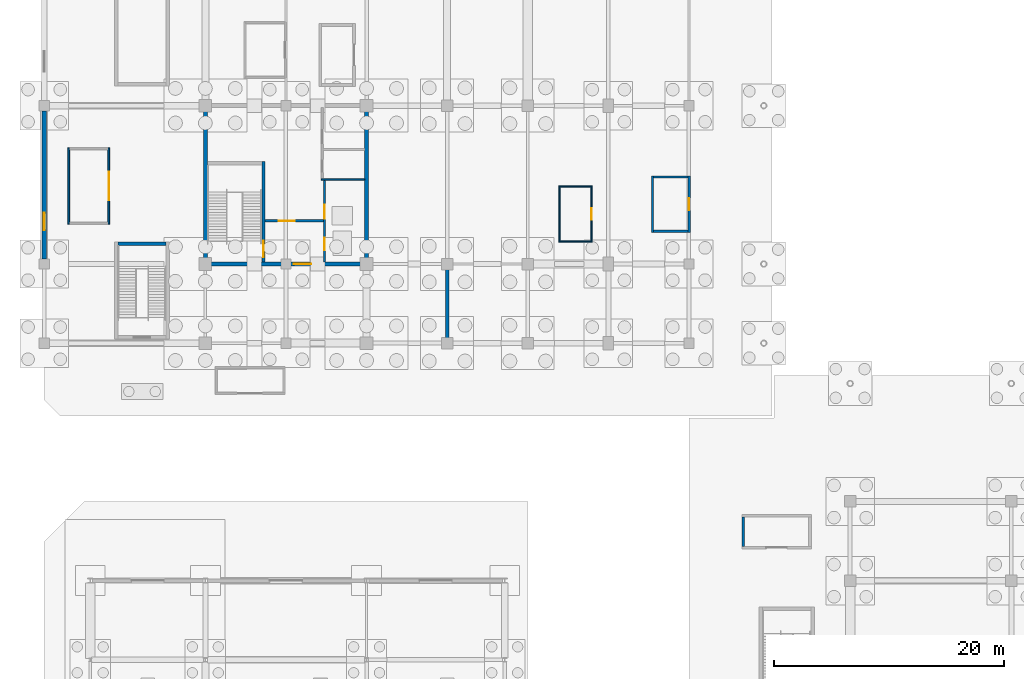
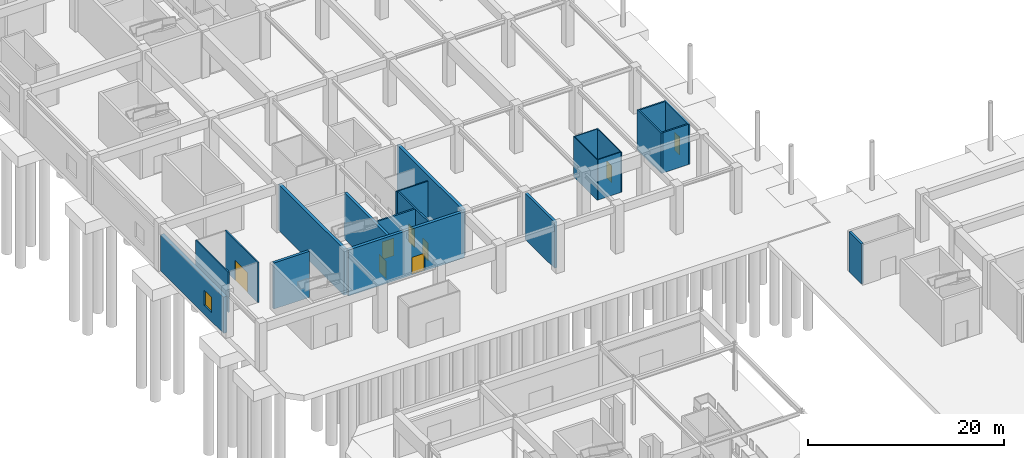
# One storey, part 38 of 62: 21 walls, 8 doors, 1 window, 9 openings.
"""IFC4 building model written with IfcOpenShell, lengths in metres."""

from ifc_helpers import new_model, si_unit, direction, frame, frame_2d, origin, place, context, subcontext, project, spatial, rectangle, extrude, material, layer, layer_set, type_object, element, fill, save


model = new_model("IFC4")

# Units and contexts
model_context = context("Model", 3, precision=1e-05, world=origin(), true_north=direction((0.0, 1.0)))
body_context = subcontext(model_context, "Body", "Model", "MODEL_VIEW")
ifc_project = project(units=[si_unit("LENGTHUNIT", "METRE"), si_unit("AREAUNIT", "SQUARE_METRE"), si_unit("VOLUMEUNIT", "CUBIC_METRE"), si_unit("PLANEANGLEUNIT", "RADIAN"), si_unit("MASSUNIT", "GRAM", prefix="KILO")], contexts=[model_context])

# Site, building, storey
site_placement = place(None, origin())
site = spatial("IfcSite", under=ifc_project, at=site_placement, CompositionType="ELEMENT")
building_placement = place(site_placement, origin())
building = spatial("IfcBuilding", under=site, at=building_placement, Name="Linyun Crest Stadium", CompositionType="ELEMENT")
storey_placement = place(building_placement, frame((0.0, 0.0, -6.0)))
storey = spatial("IfcBuildingStorey", under=building, at=storey_placement, Name="B1", CompositionType="ELEMENT", Elevation=-6.0)

# Walls
ifc_material_1 = material(Name="Concrete C50", Category="concrete")
ifc_layer_1 = layer(ifc_material_1, 0.35009765625)
ifc_layer_set_1 = layer_set([ifc_layer_1], Name="Concrete C50")
wall_type_1 = type_object("IfcWallType", Name="CW01", PredefinedType="SHEAR", material=ifc_layer_set_1)
for number, where, z_axis, x_axis, name in (
    (1, (-84.0, -38.949951171875, 0.0), (0.0, 0.0, 1.0), (0.0, 1.0, 0.0), "Core shear wall CW01 CORE-W1 B1.1"),
    (2, (-70.0, -38.949951171875, 0.0), (0.0, 0.0, 1.0), (0.0, 1.0, 0.0), "Core shear wall CW01 CORE-W1 B1.2"),
):
    element("IfcWall", number, at=place(storey_placement, frame(where, z_axis=z_axis, x_axis=x_axis)), inside=storey, type_object=wall_type_1, Name=name, PredefinedType="SHEAR", context=body_context, shape_type="SweptSolid", body=[
        extrude(rectangle(XDim=13.39990234375, YDim=0.35009765625, at=frame_2d((6.699951171875, 0.0))), origin(), (0.0, 0.0, 1.0), 5.75),
    ])

# Wall, opening, door
wall_1_placement = place(storey_placement, frame((-83.824951171875, -39.125, 0.0), z_axis=(0.0, 0.0, 1.0), x_axis=(1.0, 0.0, 0.0)))
wall_1 = element("IfcWall", 3, at=wall_1_placement, inside=storey, type_object=wall_type_1, Name="Core shear wall CW01 CORE-W1 B1.3", PredefinedType="SHEAR", context=body_context, shape_type="SweptSolid", body=[
    extrude(rectangle(XDim=13.64990234375, YDim=0.35009765625, at=frame_2d((6.824951171875, 0.0))), origin(), (0.0, 0.0, 1.0), 5.75),
])
opening_1_placement = place(wall_1_placement, frame((7.508056640625, 0.0, 0.0)))
opening_1 = element("IfcOpeningElement", 4, at=opening_1_placement, cuts=wall_1, Name="Opening D-B1-001", PredefinedType="OPENING", context=body_context, shape_type="SweptSolid", body=[
    extrude(rectangle(XDim=1.5, YDim=2.199951171875, at=frame_2d((0.75, 1.10009765625))), frame((0.0, 0.18505859375, 0.0), z_axis=(0.0, -1.0, 0.0), x_axis=(1.0, 0.0, 0.0)), (0.0, 0.0, 1.0), 0.3701171875),
])
ifc_material_2 = material(Name="Galvanized steel Class A fire door", Category="steel")
ifc_layer_2 = layer(ifc_material_2, 0.054931640625)
ifc_layer_set_2 = layer_set([ifc_layer_2], Name="Galvanized steel Class A fire door")
door_type_1 = type_object("IfcDoorType", Name="FD01", OperationType="NOTDEFINED", PredefinedType="DOOR", material=ifc_layer_set_2)
door_1_placement = place(opening_1_placement, origin())
door_1 = element("IfcDoor", 5, at=door_1_placement, inside=storey, type_object=door_type_1, Name="Door D-B1-001", OperationType="SINGLE_SWING_LEFT", OverallHeight=2.199951171875, OverallWidth=1.5, PredefinedType="DOOR", context=body_context, shape_type="SweptSolid", body=[
    extrude(rectangle(XDim=1.5, YDim=2.199951171875, at=frame_2d((0.75, 1.10009765625))), frame((0.0, 0.02490234375, 0.0), z_axis=(0.0, -1.0, 0.0), x_axis=(1.0, 0.0, 0.0)), (0.0, 0.0, 1.0), 0.050048828125),
])
fill(opening_1, door_1)

# Wall, opening, window
ifc_material_3 = material(Name="Concrete C40 basement retaining envelope wall", Category="concrete")
ifc_layer_3 = layer(ifc_material_3, 0.419921875)
ifc_layer_set_3 = layer_set([ifc_layer_3], Name="Concrete C40 basement retaining envelope wall")
wall_type_2 = type_object("IfcWallType", Name="EW08", PredefinedType="SOLIDWALL", material=ifc_layer_set_3)
wall_2_placement = place(storey_placement, frame((-98.0, -38.68505859375, 0.0), z_axis=(0.0, 0.0, 1.0), x_axis=(0.0, 1.0, 0.0)))
wall_2 = element("IfcWall", 6, at=wall_2_placement, inside=storey, type_object=wall_type_2, Name="Exterior wall EW08 B1 1", PredefinedType="SOLIDWALL", context=body_context, shape_type="SweptSolid", body=[
    extrude(rectangle(XDim=12.8701171875, YDim=0.419921875, at=frame_2d((6.43505859375, 0.0))), origin(), (0.0, 0.0, 1.0), 4.52490234375),
])
opening_2_placement = place(wall_2_placement, frame((2.5, 0.0, 1.10009765625)))
opening_2 = element("IfcOpeningElement", 7, at=opening_2_placement, cuts=wall_2, Name="Opening WN01", PredefinedType="OPENING", context=body_context, shape_type="SweptSolid", body=[
    extrude(rectangle(XDim=1.5, YDim=1.89990234375, at=frame_2d((0.75, 0.949951171875))), frame((0.0, 0.219970703125, 0.0), z_axis=(0.0, -1.0, 0.0), x_axis=(1.0, 0.0, 0.0)), (0.0, 0.0, 1.0), 0.43994140625),
])
ifc_material_4 = material(Name="Aluminium frame with double low-E glazing", Category="aluminium")
ifc_layer_4 = layer(ifc_material_4, 0.06005859375)
ifc_layer_set_4 = layer_set([ifc_layer_4], Name="Aluminium frame with double low-E glazing")
window_type = type_object("IfcWindowType", Name="WN01", PartitioningType="SINGLE_PANEL", PredefinedType="WINDOW", material=ifc_layer_set_4)
window_placement = place(opening_2_placement, origin())
window = element("IfcWindow", 8, at=window_placement, inside=storey, type_object=window_type, Name="Window WN01 B1 1", OverallHeight=1.89990234375, OverallWidth=1.5, PartitioningType="SINGLE_PANEL", PredefinedType="WINDOW", context=body_context, shape_type="SweptSolid", body=[
    extrude(rectangle(XDim=1.5, YDim=1.89990234375, at=frame_2d((0.75, 0.949951171875))), frame((0.0, 0.030029296875, 0.0), z_axis=(0.0, -1.0, 0.0), x_axis=(1.0, 0.0, 0.0)), (0.0, 0.0, 1.0), 0.06005859375),
])
fill(opening_2, window)

# Wall, opening, door
ifc_material_5 = material(Name="Autoclaved aerated concrete block with fireboard", Category="concrete")
ifc_layer_5 = layer(ifc_material_5, 0.199951171875)
ifc_layer_set_5 = layer_set([ifc_layer_5], Name="Autoclaved aerated concrete block with fireboard")
wall_type_3 = type_object("IfcWallType", Name="PW11", PredefinedType="PARTITIONING", material=ifc_layer_set_5)
wall_3_placement = place(storey_placement, frame((-78.800048828125, -35.375, 0.0), z_axis=(0.0, 0.0, 1.0), x_axis=(1.0, 0.0, 0.0)))
wall_3 = element("IfcWall", 9, at=wall_3_placement, inside=storey, type_object=wall_type_3, Name="Partition PW11 B1 1", PredefinedType="PARTITIONING", context=body_context, shape_type="SweptSolid", body=[
    extrude(rectangle(XDim=5.06005859375, YDim=0.199951171875, at=frame_2d((2.530029296875, 0.0))), origin(), (0.0, 0.0, 1.0), 5.02001953125),
])
opening_3_placement = place(wall_3_placement, frame((1.169921875, 0.0, 0.0)))
opening_3 = element("IfcOpeningElement", 10, at=opening_3_placement, cuts=wall_3, Name="Opening D-B1-003", PredefinedType="OPENING", context=body_context, shape_type="SweptSolid", body=[
    extrude(rectangle(XDim=1.39990234375, YDim=2.199951171875, at=frame_2d((0.699951171875, 1.10009765625))), frame((0.0, 0.10986328125, 0.0), z_axis=(0.0, -1.0, 0.0), x_axis=(1.0, 0.0, 0.0)), (0.0, 0.0, 1.0), 0.219970703125),
])
ifc_material_6 = material(Name="Galvanized steel Class B fire door", Category="steel")
ifc_layer_6 = layer(ifc_material_6, 0.054931640625)
ifc_layer_set_6 = layer_set([ifc_layer_6], Name="Galvanized steel Class B fire door")
door_type_2 = type_object("IfcDoorType", Name="FD03", OperationType="NOTDEFINED", PredefinedType="DOOR", material=ifc_layer_set_6)
door_2_placement = place(opening_3_placement, origin())
door_2 = element("IfcDoor", 11, at=door_2_placement, inside=storey, type_object=door_type_2, Name="Door D-B1-003", OperationType="SINGLE_SWING_LEFT", OverallHeight=2.199951171875, OverallWidth=1.39990234375, PredefinedType="DOOR", context=body_context, shape_type="SweptSolid", body=[
    extrude(rectangle(XDim=1.39990234375, YDim=2.199951171875, at=frame_2d((0.699951171875, 1.10009765625))), frame((0.0, 0.02490234375, 0.0), z_axis=(0.0, -1.0, 0.0), x_axis=(1.0, 0.0, 0.0)), (0.0, 0.0, 1.0), 0.050048828125),
])
fill(opening_3, door_2)

# Wall, openings, doors
ifc_material_7 = material(Name="Autoclaved aerated concrete block fire partition", Category="concrete")
ifc_layer_7 = layer(ifc_material_7, 0.179931640625)
ifc_layer_set_7 = layer_set([ifc_layer_7], Name="Autoclaved aerated concrete block fire partition")
wall_type_4 = type_object("IfcWallType", Name="PW12", PredefinedType="PARTITIONING", material=ifc_layer_set_7)
wall_4_placement = place(storey_placement, frame((-73.64990234375, -38.949951171875, 0.0), z_axis=(0.0, 0.0, 1.0), x_axis=(0.0, 1.0, 0.0)))
wall_4 = element("IfcWall", 12, at=wall_4_placement, inside=storey, type_object=wall_type_4, Name="Partition PW12 B1 2", PredefinedType="PARTITIONING", context=body_context, shape_type="SweptSolid", body=[
    extrude(rectangle(XDim=7.10498046875, YDim=0.179931640625, at=frame_2d((3.552490234375, 0.0))), origin(), (0.0, 0.0, 1.0), 5.02001953125),
])
opening_4_placement = place(wall_4_placement, frame((1.02490234375, 0.0, 0.0)))
opening_4 = element("IfcOpeningElement", 13, at=opening_4_placement, cuts=wall_4, Name="Opening LD001", PredefinedType="OPENING", context=body_context, shape_type="SweptSolid", body=[
    extrude(rectangle(XDim=1.10009765625, YDim=2.199951171875, at=frame_2d((0.550048828125, 1.10009765625))), frame((0.0, 0.099853515625, 0.0), z_axis=(0.0, -1.0, 0.0), x_axis=(1.0, 0.0, 0.0)), (0.0, 0.0, 1.0), 0.199951171875),
])
opening_5_placement = place(wall_4_placement, frame((3.77490234375, 0.0, 0.0)))
opening_5 = element("IfcOpeningElement", 14, at=opening_5_placement, cuts=wall_4, Name="Opening LD002", PredefinedType="OPENING", context=body_context, shape_type="SweptSolid", body=[
    extrude(rectangle(XDim=1.199951171875, YDim=2.25, at=frame_2d((0.60009765625, 1.125))), frame((0.0, 0.099853515625, 0.0), z_axis=(0.0, -1.0, 0.0), x_axis=(1.0, 0.0, 0.0)), (0.0, 0.0, 1.0), 0.199951171875),
])
ifc_material_8 = material(Name="Brushed stainless sliding lift door")
ifc_layer_8 = layer(ifc_material_8, 0.050048828125)
ifc_layer_set_8 = layer_set([ifc_layer_8], Name="Brushed stainless sliding lift door")
door_type_3 = type_object("IfcDoorType", Name="LD01", OperationType="NOTDEFINED", PredefinedType="DOOR", material=ifc_layer_set_8)
door_3_placement = place(opening_4_placement, origin())
door_3 = element("IfcDoor", 15, at=door_3_placement, inside=storey, type_object=door_type_3, Name="Lift landing door LD001", OperationType="DOUBLE_DOOR_SLIDING", OverallHeight=2.199951171875, OverallWidth=1.10009765625, PredefinedType="DOOR", context=body_context, shape_type="SweptSolid", body=[
    extrude(rectangle(XDim=1.10009765625, YDim=2.199951171875, at=frame_2d((0.550048828125, 1.10009765625))), frame((0.0, 0.02490234375, 0.0), z_axis=(0.0, -1.0, 0.0), x_axis=(1.0, 0.0, 0.0)), (0.0, 0.0, 1.0), 0.050048828125),
])
fill(opening_4, door_3)
ifc_material_9 = material(Name="Brushed stainless sliding lift door")
ifc_layer_9 = layer(ifc_material_9, 0.050048828125)
ifc_layer_set_9 = layer_set([ifc_layer_9], Name="Brushed stainless sliding lift door")
door_type_4 = type_object("IfcDoorType", Name="LD02", OperationType="NOTDEFINED", PredefinedType="DOOR", material=ifc_layer_set_9)
door_4_placement = place(opening_5_placement, origin())
door_4 = element("IfcDoor", 16, at=door_4_placement, inside=storey, type_object=door_type_4, Name="Lift landing door LD002", OperationType="DOUBLE_DOOR_SLIDING", OverallHeight=2.25, OverallWidth=1.199951171875, PredefinedType="DOOR", context=body_context, shape_type="SweptSolid", body=[
    extrude(rectangle(XDim=1.199951171875, YDim=2.25, at=frame_2d((0.60009765625, 1.125))), frame((0.0, 0.02490234375, 0.0), z_axis=(0.0, -1.0, 0.0), x_axis=(1.0, 0.0, 0.0)), (0.0, 0.0, 1.0), 0.050048828125),
])
fill(opening_5, door_4)

# Wall, opening, door
ifc_material_10 = material(Name="Steel-stud gypsum corridor fire partition", Category="steel")
ifc_layer_10 = layer(ifc_material_10, 0.14990234375)
ifc_layer_set_10 = layer_set([ifc_layer_10], Name="Steel-stud gypsum corridor fire partition")
wall_type_5 = type_object("IfcWallType", Name="PW14", PredefinedType="PARTITIONING", material=ifc_layer_set_10)
wall_5_placement = place(storey_placement, frame((-92.386962890625, -29.0390625, 0.0), z_axis=(0.0, 0.0, 1.0), x_axis=(0.0, -1.0, 0.0)))
wall_5 = element("IfcWall", 17, at=wall_5_placement, inside=storey, type_object=wall_type_5, Name="Partition PW14 B1 138", PredefinedType="PARTITIONING", context=body_context, shape_type="SweptSolid", body=[
    extrude(rectangle(XDim=6.6298828125, YDim=0.14990234375, at=frame_2d((3.31494140625, 0.0))), origin(), (0.0, 0.0, 1.0), 5.02001953125),
])
opening_6_placement = place(wall_5_placement, frame((2.06494140625, 0.0, 0.0)))
opening_6 = element("IfcOpeningElement", 18, at=opening_6_placement, cuts=wall_5, Name="Opening D-B1-401", PredefinedType="OPENING", context=body_context, shape_type="SweptSolid", body=[
    extrude(rectangle(XDim=2.5, YDim=2.5, at=frame_2d((1.25, 1.25))), frame((0.0, 0.0849609375, 0.0), z_axis=(0.0, -1.0, 0.0), x_axis=(1.0, 0.0, 0.0)), (0.0, 0.0, 1.0), 0.169921875),
])
ifc_material_11 = material(Name="Verdigris framed glazed concourse door")
ifc_layer_11 = layer(ifc_material_11, 0.054931640625)
ifc_layer_set_11 = layer_set([ifc_layer_11], Name="Verdigris framed glazed concourse door")
door_type_5 = type_object("IfcDoorType", Name="ID16", OperationType="NOTDEFINED", PredefinedType="DOOR", material=ifc_layer_set_11)
door_5_placement = place(opening_6_placement, origin())
door_5 = element("IfcDoor", 19, at=door_5_placement, inside=storey, type_object=door_type_5, Name="Door D-B1-401", OperationType="DOUBLE_DOOR_SINGLE_SWING", OverallHeight=2.5, OverallWidth=2.5, PredefinedType="DOOR", context=body_context, shape_type="SweptSolid", body=[
    extrude(rectangle(XDim=2.5, YDim=2.5, at=frame_2d((1.25, 1.25))), frame((0.0, 0.02490234375, 0.0), z_axis=(0.0, -1.0, 0.0), x_axis=(1.0, 0.0, 0.0)), (0.0, 0.0, 1.0), 0.050048828125),
])
fill(opening_6, door_5)

# Walls
wall_6_placement = place(storey_placement, frame((-95.866943359375, -35.6689453125, 0.0), z_axis=(0.0, 0.0, 1.0), x_axis=(0.0, 1.0, 0.0)))
element("IfcWall", 20, at=wall_6_placement, inside=storey, type_object=wall_type_5, Name="Enclosure partition PW14 B1 130", PredefinedType="PARTITIONING", context=body_context, shape_type="SweptSolid", body=[
    extrude(rectangle(XDim=6.6298828125, YDim=0.14990234375, at=frame_2d((3.31494140625, 0.0))), origin(), (0.0, 0.0, 1.0), 5.02001953125),
])
ifc_material_12 = material(Name="Moisture-resistant ceramic-tiled wet-room wall")
ifc_layer_12 = layer(ifc_material_12, 0.139892578125)
ifc_layer_set_12 = layer_set([ifc_layer_12], Name="Moisture-resistant ceramic-tiled wet-room wall")
wall_type_6 = type_object("IfcWallType", Name="PW15", PredefinedType="PARTITIONING", material=ifc_layer_set_12)
wall_7_placement = place(storey_placement, frame((-73.919921875, -31.77490234375, 0.0), z_axis=(0.0, 0.0, 1.0), x_axis=(1.0, 0.0, 0.0)))
element("IfcWall", 21, at=wall_7_placement, inside=storey, type_object=wall_type_6, Name="Enclosure partition PW15 B1 1", PredefinedType="PARTITIONING", context=body_context, shape_type="SweptSolid", body=[
    extrude(rectangle(XDim=3.744873046875, YDim=0.139892578125, at=frame_2d((1.87255859375, 0.0))), origin(), (0.0, 0.0, 1.0), 5.02001953125),
])

# Wall, opening, door
ifc_material_13 = material(Name="Lightweight demountable office partition")
ifc_layer_13 = layer(ifc_material_13, 0.110107421875)
ifc_layer_set_13 = layer_set([ifc_layer_13], Name="Lightweight demountable office partition")
wall_type_7 = type_object("IfcWallType", Name="PW18", PredefinedType="PARTITIONING", material=ifc_layer_set_13)
wall_8_placement = place(storey_placement, frame((-50.4619140625, -32.330078125, 0.0), z_axis=(0.0, 0.0, 1.0), x_axis=(0.0, -1.0, 0.0)))
wall_8 = element("IfcWall", 22, at=wall_8_placement, inside=storey, type_object=wall_type_7, Name="Partition PW18 B1 141", PredefinedType="PARTITIONING", context=body_context, shape_type="SweptSolid", body=[
    extrude(rectangle(XDim=4.889892578125, YDim=0.110107421875, at=frame_2d((2.44482421875, 0.0))), origin(), (0.0, 0.0, 1.0), 5.02001953125),
])
opening_7_placement = place(wall_8_placement, frame((1.945068359375, 0.0, 0.0)))
opening_7 = element("IfcOpeningElement", 23, at=opening_7_placement, cuts=wall_8, Name="Opening D-B1-404", PredefinedType="OPENING", context=body_context, shape_type="SweptSolid", body=[
    extrude(rectangle(XDim=1.0, YDim=2.14990234375, at=frame_2d((0.5, 1.074951171875))), frame((0.0, 0.06494140625, 0.0), z_axis=(0.0, -1.0, 0.0), x_axis=(1.0, 0.0, 0.0)), (0.0, 0.0, 1.0), 0.130126953125),
])
ifc_material_14 = material(Name="Hardwood veneer acoustic leaf", Category="wood")
ifc_layer_14 = layer(ifc_material_14, 0.044921875)
ifc_layer_set_14 = layer_set([ifc_layer_14], Name="Hardwood veneer acoustic leaf")
door_type_6 = type_object("IfcDoorType", Name="ID01", OperationType="NOTDEFINED", PredefinedType="DOOR", material=ifc_layer_set_14)
door_6_placement = place(opening_7_placement, origin())
door_6 = element("IfcDoor", 24, at=door_6_placement, inside=storey, type_object=door_type_6, Name="Door D-B1-404", OperationType="SINGLE_SWING_RIGHT", OverallHeight=2.14990234375, OverallWidth=1.0, PredefinedType="DOOR", context=body_context, shape_type="SweptSolid", body=[
    extrude(rectangle(XDim=1.0, YDim=2.14990234375, at=frame_2d((0.5, 1.074951171875))), frame((0.0, 0.02490234375, 0.0), z_axis=(0.0, -1.0, 0.0), x_axis=(1.0, 0.0, 0.0)), (0.0, 0.0, 1.0), 0.050048828125),
])
fill(opening_7, door_6)

# Walls
wall_9_placement = place(storey_placement, frame((-53.241943359375, -37.219970703125, 0.0), z_axis=(0.0, 0.0, 1.0), x_axis=(0.0, 1.0, 0.0)))
element("IfcWall", 25, at=wall_9_placement, inside=storey, type_object=wall_type_7, Name="Enclosure partition PW18 B1 139", PredefinedType="PARTITIONING", context=body_context, shape_type="SweptSolid", body=[
    extrude(rectangle(XDim=4.889892578125, YDim=0.110107421875, at=frame_2d((2.44482421875, 0.0))), origin(), (0.0, 0.0, 1.0), 5.02001953125),
])
for number, where, z_axis, x_axis, name in (
    (26, (-53.18701171875, -37.1650390625, 0.0), (0.0, 0.0, 1.0), (1.0, 0.0, 0.0), "Enclosure partition PW18 B1 140"),
    (27, (-53.18701171875, -32.385009765625, 0.0), (0.0, 0.0, 1.0), (1.0, 0.0, 0.0), "Enclosure partition PW18 B1 141"),
):
    element("IfcWall", number, at=place(storey_placement, frame(where, z_axis=z_axis, x_axis=x_axis)), inside=storey, type_object=wall_type_7, Name=name, PredefinedType="PARTITIONING", context=body_context, shape_type="SweptSolid", body=[
        extrude(rectangle(XDim=2.669921875, YDim=0.110107421875, at=frame_2d((1.3349609375, 0.0))), origin(), (0.0, 0.0, 1.0), 5.02001953125),
    ])
ifc_material_15 = material(Name="Plant room acoustic masonry partition", Category="masonry")
ifc_layer_15 = layer(ifc_material_15, 0.2451171875)
ifc_layer_set_15 = layer_set([ifc_layer_15], Name="Plant room acoustic masonry partition")
wall_type_8 = type_object("IfcWallType", Name="PW20", PredefinedType="PARTITIONING", material=ifc_layer_set_15)
wall_10_placement = place(storey_placement, frame((-37.2880859375, -63.64111328125, 0.0), z_axis=(0.0, 0.0, 1.0), x_axis=(0.0, 1.0, 0.0)))
element("IfcWall", 28, at=wall_10_placement, inside=storey, type_object=wall_type_8, Name="Enclosure partition PW20 B1 176", PredefinedType="PARTITIONING", context=body_context, shape_type="SweptSolid", body=[
    extrude(rectangle(XDim=2.5341796875, YDim=0.2451171875, at=frame_2d((1.26708984375, 0.0))), origin(), (0.0, 0.0, 1.0), 5.02001953125),
])

# Wall, opening, door
ifc_material_16 = material(Name="Ticketing hall security partition")
ifc_layer_16 = layer(ifc_material_16, 0.18994140625)
ifc_layer_set_16 = layer_set([ifc_layer_16], Name="Ticketing hall security partition")
wall_type_9 = type_object("IfcWallType", Name="PW25", PredefinedType="PARTITIONING", material=ifc_layer_set_16)
wall_11_placement = place(storey_placement, frame((-41.97802734375, -31.486083984375, 0.0), z_axis=(0.0, 0.0, 1.0), x_axis=(0.0, -1.0, 0.0)))
wall_11 = element("IfcWall", 29, at=wall_11_placement, inside=storey, type_object=wall_type_9, Name="Partition PW25 B1 261", PredefinedType="PARTITIONING", context=body_context, shape_type="SweptSolid", body=[
    extrude(rectangle(XDim=4.889892578125, YDim=0.18994140625, at=frame_2d((2.44482421875, 0.0))), origin(), (0.0, 0.0, 1.0), 5.02001953125),
])
opening_8_placement = place(wall_11_placement, frame((1.919921875, 0.0, 0.0)))
opening_8 = element("IfcOpeningElement", 30, at=opening_8_placement, cuts=wall_11, Name="Opening D-B1-524", PredefinedType="OPENING", context=body_context, shape_type="SweptSolid", body=[
    extrude(rectangle(XDim=1.050048828125, YDim=2.25, at=frame_2d((0.52490234375, 1.125))), frame((0.0, 0.10498046875, 0.0), z_axis=(0.0, -1.0, 0.0), x_axis=(1.0, 0.0, 0.0)), (0.0, 0.0, 1.0), 0.2099609375),
])
ifc_material_17 = material(Name="Walnut and brass Art Nouveau door")
ifc_layer_17 = layer(ifc_material_17, 0.050048828125)
ifc_layer_set_17 = layer_set([ifc_layer_17], Name="Walnut and brass Art Nouveau door")
door_type_7 = type_object("IfcDoorType", Name="ID05", OperationType="NOTDEFINED", PredefinedType="DOOR", material=ifc_layer_set_17)
door_7_placement = place(opening_8_placement, origin())
door_7 = element("IfcDoor", 31, at=door_7_placement, inside=storey, type_object=door_type_7, Name="Door D-B1-524", OperationType="SINGLE_SWING_RIGHT", OverallHeight=2.25, OverallWidth=1.050048828125, PredefinedType="DOOR", context=body_context, shape_type="SweptSolid", body=[
    extrude(rectangle(XDim=1.050048828125, YDim=2.25, at=frame_2d((0.52490234375, 1.125))), frame((0.0, 0.02490234375, 0.0), z_axis=(0.0, -1.0, 0.0), x_axis=(1.0, 0.0, 0.0)), (0.0, 0.0, 1.0), 0.050048828125),
])
fill(opening_8, door_7)

# Walls
wall_12_placement = place(storey_placement, frame((-45.177978515625, -36.3759765625, 0.0), z_axis=(0.0, 0.0, 1.0), x_axis=(0.0, 1.0, 0.0)))
element("IfcWall", 32, at=wall_12_placement, inside=storey, type_object=wall_type_9, Name="Enclosure partition PW25 B1 499", PredefinedType="PARTITIONING", context=body_context, shape_type="SweptSolid", body=[
    extrude(rectangle(XDim=4.889892578125, YDim=0.18994140625, at=frame_2d((2.44482421875, 0.0))), origin(), (0.0, 0.0, 1.0), 5.02001953125),
])
for number, where, z_axis, x_axis, name in (
    (33, (-45.0830078125, -36.281005859375, 0.0), (0.0, 0.0, 1.0), (1.0, 0.0, 0.0), "Enclosure partition PW25 B1 500"),
    (34, (-45.0830078125, -31.5810546875, 0.0), (0.0, 0.0, 1.0), (1.0, 0.0, 0.0), "Enclosure partition PW25 B1 501"),
):
    element("IfcWall", number, at=place(storey_placement, frame(where, z_axis=z_axis, x_axis=x_axis)), inside=storey, type_object=wall_type_9, Name=name, PredefinedType="PARTITIONING", context=body_context, shape_type="SweptSolid", body=[
        extrude(rectangle(XDim=3.010009765625, YDim=0.18994140625, at=frame_2d((1.5048828125, 0.0))), origin(), (0.0, 0.0, 1.0), 5.02001953125),
    ])
ifc_material_18 = material(Name="Concrete C50", Category="concrete")
ifc_layer_18 = layer(ifc_material_18, 0.300048828125)
ifc_layer_set_18 = layer_set([ifc_layer_18], Name="Concrete C50")
wall_type_10 = type_object("IfcWallType", Name="SW01", PredefinedType="SHEAR", material=ifc_layer_set_18)
wall_13_placement = place(storey_placement, frame((-63.0, -45.550048828125, 0.0), z_axis=(0.0, 0.0, 1.0), x_axis=(0.0, 1.0, 0.0)))
element("IfcWall", 35, at=wall_13_placement, inside=storey, type_object=wall_type_10, Name="Shear wall SW01 B1 301", PredefinedType="SHEAR", context=body_context, shape_type="SweptSolid", body=[
    extrude(rectangle(XDim=6.050048828125, YDim=0.300048828125, at=frame_2d((3.02490234375, 0.0))), origin(), (0.0, 0.0, 1.0), 5.75),
])

# Wall, opening, door
wall_14_placement = place(storey_placement, frame((-78.949951171875, -38.949951171875, 0.0), z_axis=(0.0, 0.0, 1.0), x_axis=(0.0, 1.0, 0.0)))
wall_14 = element("IfcWall", 36, at=wall_14_placement, inside=storey, type_object=wall_type_10, Name="Core stair east bearing wall SW01 1 B1", PredefinedType="SHEAR", context=body_context, shape_type="SweptSolid", body=[
    extrude(rectangle(XDim=8.724853515625, YDim=0.300048828125, at=frame_2d((4.3623046875, 0.0))), origin(), (0.0, 0.0, 1.0), 5.75),
])
opening_9_placement = place(wall_14_placement, frame((0.39501953125, 0.0, 0.0)))
opening_9 = element("IfcOpeningElement", 37, at=opening_9_placement, cuts=wall_14, Name="Opening D-B1-002", PredefinedType="OPENING", context=body_context, shape_type="SweptSolid", body=[
    extrude(rectangle(XDim=1.449951171875, YDim=2.199951171875, at=frame_2d((0.72509765625, 1.10009765625))), frame((0.0, 0.159912109375, 0.0), z_axis=(0.0, -1.0, 0.0), x_axis=(1.0, 0.0, 0.0)), (0.0, 0.0, 1.0), 0.320068359375),
])
ifc_material_19 = material(Name="Galvanized steel Class A fire door", Category="steel")
ifc_layer_19 = layer(ifc_material_19, 0.054931640625)
ifc_layer_set_19 = layer_set([ifc_layer_19], Name="Galvanized steel Class A fire door")
door_type_8 = type_object("IfcDoorType", Name="FD02", OperationType="NOTDEFINED", PredefinedType="DOOR", material=ifc_layer_set_19)
door_8_placement = place(opening_9_placement, origin())
door_8 = element("IfcDoor", 38, at=door_8_placement, inside=storey, type_object=door_type_8, Name="Door D-B1-002", OperationType="SINGLE_SWING_RIGHT", OverallHeight=2.199951171875, OverallWidth=1.449951171875, PredefinedType="DOOR", context=body_context, shape_type="SweptSolid", body=[
    extrude(rectangle(XDim=1.449951171875, YDim=2.199951171875, at=frame_2d((0.72509765625, 1.10009765625))), frame((0.0, 0.02490234375, 0.0), z_axis=(0.0, -1.0, 0.0), x_axis=(1.0, 0.0, 0.0)), (0.0, 0.0, 1.0), 0.050048828125),
])
fill(opening_9, door_8)

# Wall
wall_15_placement = place(storey_placement, frame((-91.60009765625, -37.35009765625, 0.0), z_axis=(0.0, 0.0, 1.0), x_axis=(1.0, 0.0, 0.0)))
element("IfcWall", 39, at=wall_15_placement, inside=storey, type_object=wall_type_10, Name="Stair shaft wall SW01 STR-13 B1 N", PredefinedType="SHEAR", context=body_context, shape_type="SweptSolid", body=[
    extrude(rectangle(XDim=4.2001953125, YDim=0.300048828125, at=frame_2d((2.10009765625, 0.0))), origin(), (0.0, 0.0, 1.0), 5.75),
])

save(model, "model.ifc")
